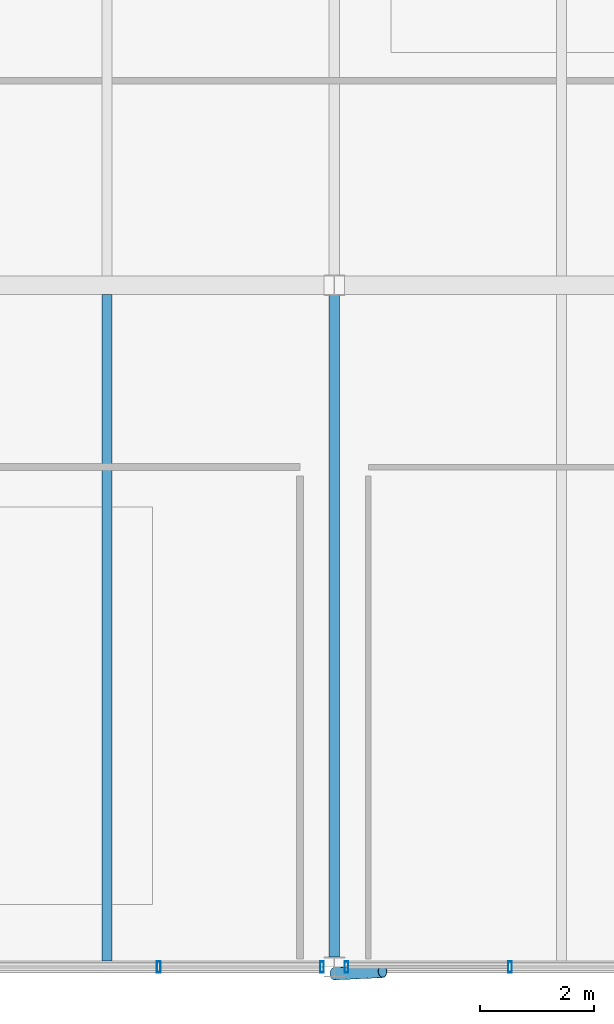
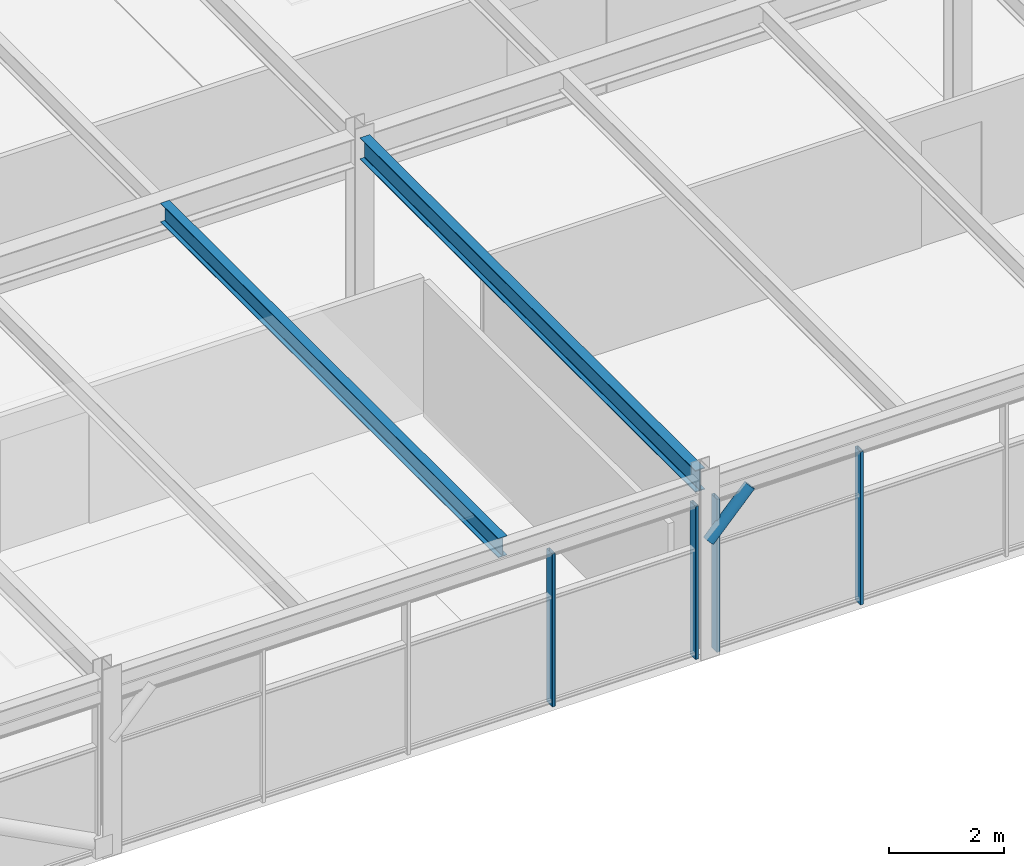
# One storey, part 11 of 23: 5 members, 2 beams, 2 elements without a shape of their own.
"""IFC4 building model written with IfcOpenShell, lengths in metres."""

import ifcopenshell
import ifcopenshell.guid

model = None  # the IFC model being written
_history = None  # IfcOwnerHistory: only IFC2X3 demands one
_inside = {}  # id of a spatial element -> (the spatial element, [elements in it])
_under = {}  # id of a project, library or spatial element -> (it, [spatial elements below it])
_declared = {}  # id of a project -> (the project, [libraries it declares])
_typed = {}  # id of a type object -> (the type object, [elements of that type])
_made_of = {}  # id of a material, layer set ... -> (it, [elements and type objects made of it])


def new_model(schema):
    """Start an empty IFC model of exactly this schema.

    Asked for "IFC4X3", IfcOpenShell would pick the latest addendum, in which some entities
    have other attributes; the version numbers below select the first issue.
    IFC2X3 requires an IfcOwnerHistory on every rooted entity: one is made here for all.
    """
    global model, _history
    if schema == "IFC4X3":
        model = ifcopenshell.file(schema_version=(4, 3, 0, 0))
    else:
        model = ifcopenshell.file(schema=schema)
    _inside.clear()
    _under.clear()
    _declared.clear()
    _typed.clear()
    _made_of.clear()
    _history = None
    if model.schema == "IFC2X3":
        org = make("IfcOrganization", Name="unknown")
        user = make(
            "IfcPersonAndOrganization",
            ThePerson=make("IfcPerson", FamilyName="unknown"),
            TheOrganization=org,
        )
        app = make(
            "IfcApplication",
            ApplicationDeveloper=org,
            Version="unknown",
            ApplicationFullName="unknown",
            ApplicationIdentifier="unknown",
        )
        _history = make(
            "IfcOwnerHistory",
            OwningUser=user,
            OwningApplication=app,
            ChangeAction="ADDED",
            CreationDate=0,
        )
    return model


def make(cls, **values):
    """One entity of the class cls with the attributes given. An attribute that is None is left unset."""
    return model.create_entity(
        cls, **{name: value for name, value in values.items() if value is not None}
    )


def rooted(cls, **values):
    """An entity with a GlobalId (a new one), such as an element, a storey or a relation."""
    return make(cls, GlobalId=ifcopenshell.guid.new(), OwnerHistory=_history, **values)


def si_unit(unit_type, name, prefix=None):
    """IfcSIUnit, for example si_unit("LENGTHUNIT", "METRE", prefix="MILLI")."""
    return make("IfcSIUnit", UnitType=unit_type, Prefix=prefix, Name=name)


def assignment(units):
    """IfcUnitAssignment: the units of a project."""
    return None if units is None else make("IfcUnitAssignment", Units=units)


def point(xyz):
    """IfcCartesianPoint."""
    return None if xyz is None else make("IfcCartesianPoint", Coordinates=xyz)


def direction(xyz):
    """IfcDirection."""
    return None if xyz is None else make("IfcDirection", DirectionRatios=xyz)


def frame(location, z_axis=None, x_axis=None):
    """IfcAxis2Placement3D, a coordinate frame: its origin and axes. An axis left out is left unset."""
    return make(
        "IfcAxis2Placement3D",
        Location=point(location),
        Axis=direction(z_axis),
        RefDirection=direction(x_axis),
    )


def frame_2d(location, x_axis=None):
    """IfcAxis2Placement2D, a coordinate frame in the plane: its origin and x axis."""
    return make(
        "IfcAxis2Placement2D", Location=point(location), RefDirection=direction(x_axis)
    )


def origin():
    """The frame at (0, 0, 0) with its axes left unset."""
    return frame((0.0, 0.0, 0.0))


def origin_2d():
    """The frame at (0, 0) in the plane with its x axis left unset."""
    return frame_2d((0.0, 0.0))


def place(relative_to, where):
    """IfcLocalPlacement: puts the frame where relative to a parent placement (None: the world)."""
    return make(
        "IfcLocalPlacement", PlacementRelTo=relative_to, RelativePlacement=where
    )


def context(
    kind, dimensions, precision=None, world=None, true_north=None, identifier=None
):
    """IfcGeometricRepresentationContext, for example the 3D "Model" context."""
    return make(
        "IfcGeometricRepresentationContext",
        ContextIdentifier=identifier,
        ContextType=kind,
        CoordinateSpaceDimension=dimensions,
        Precision=precision,
        WorldCoordinateSystem=world,
        TrueNorth=true_north,
    )


def subcontext(parent, identifier, kind, view, scale=None):
    """IfcGeometricRepresentationSubContext, for example "Body" below "Model"."""
    return make(
        "IfcGeometricRepresentationSubContext",
        ContextIdentifier=identifier,
        ContextType=kind,
        ParentContext=parent,
        TargetScale=scale,
        TargetView=view,
    )


def project(units=None, contexts=None):
    """IfcProject with its units and contexts."""
    return rooted(
        "IfcProject",
        Name="project",
        RepresentationContexts=contexts,
        UnitsInContext=assignment(units),
    )


def spatial(cls, under=None, at=None, **own):
    """A site, building, storey or space (cls), placed at a placement, below another one or the project."""
    s = rooted(cls, ObjectPlacement=at, **own)
    if under is not None:
        _under.setdefault(under.id(), (under, []))[1].append(s)
    return s


def profile(cls, at=None, kind="AREA", **sizes):
    """A parametric profile (cls). Its sizes go by their IFC names, for example OverallWidth=200.0."""
    return make(cls, ProfileType=kind, Position=at, **sizes)


def hollow_rectangle(**sizes):
    """IfcRectangleHollowProfileDef."""
    return profile("IfcRectangleHollowProfileDef", **sizes)


def hollow_circle(**sizes):
    """IfcCircleHollowProfileDef."""
    return profile("IfcCircleHollowProfileDef", **sizes)


def i_section(**sizes):
    """IfcIShapeProfileDef."""
    return profile("IfcIShapeProfileDef", **sizes)


def extrude(swept, where, along, depth):
    """IfcExtrudedAreaSolid: the profile swept, set in the frame where, extruded along a direction by depth."""
    return make(
        "IfcExtrudedAreaSolid",
        SweptArea=swept,
        Position=where,
        ExtrudedDirection=direction(along),
        Depth=depth,
    )


def shape(context_of_items, identifier, shape_type, items):
    """IfcShapeRepresentation: the items that make up one representation, for example the "Body"."""
    return make(
        "IfcShapeRepresentation",
        ContextOfItems=context_of_items,
        RepresentationIdentifier=identifier,
        RepresentationType=shape_type,
        Items=items,
    )


def material(Name=None, Category=None):
    """IfcMaterial."""
    return make("IfcMaterial", Name=Name, Category=Category)


def material_profile(
    of_material, cross_section, Name=None, Category=None, Priority=None
):
    """IfcMaterialProfile: a cross section and its material."""
    return make(
        "IfcMaterialProfile",
        Name=Name,
        Material=of_material,
        Profile=cross_section,
        Priority=Priority,
        Category=Category,
    )


def profile_set(profiles, Name=None, composite=None):
    """IfcMaterialProfileSet."""
    return make(
        "IfcMaterialProfileSet",
        Name=Name,
        MaterialProfiles=profiles,
        CompositeProfile=composite,
    )


def made_of(thing, what):
    """Note that an element or type object is made of a material, layer set ...; save() writes the relation."""
    if what is not None:
        _made_of.setdefault(what.id(), (what, []))[1].append(thing)
    return thing


def type_object(cls, material=None, **own):
    """A type object (cls), such as IfcWallType, which elements share."""
    return made_of(rooted(cls, **own), material)


def element(
    cls,
    number,
    at=None,
    inside=None,
    cuts=None,
    type_object=None,
    material=None,
    context=None,
    identifier="Body",
    shape_type=None,
    held_by="IfcProductDefinitionShape",
    body=None,
    shapes=None,
    **own,
):
    """One element of the class cls, such as IfcWall. Its Tag is "e" and its number.

    at: its placement. inside: the storey or other place that contains it. cuts: it is an
    opening in that element (IfcRelVoidsElement). A single representation is given by context,
    identifier, shape_type and body (its items); several are given by shapes. held_by: the class
    of the entity that holds the representations. save() writes the other relations.
    """
    e = rooted(cls, Tag="e%d" % number, ObjectPlacement=at, **own)
    if body is not None:
        shapes = [shape(context, identifier, shape_type, body)]
    if shapes is not None:
        e.Representation = make(held_by, Representations=shapes)
    if inside is not None:
        _inside.setdefault(inside.id(), (inside, []))[1].append(e)
    if cuts is not None:
        rooted(
            "IfcRelVoidsElement", RelatingBuildingElement=cuts, RelatedOpeningElement=e
        )
    if type_object is not None:
        _typed.setdefault(type_object.id(), (type_object, []))[1].append(e)
    return made_of(e, material)


def aggregate(whole, parts):
    """IfcRelAggregates: a whole, such as a stair, and the parts it consists of."""
    return rooted("IfcRelAggregates", RelatingObject=whole, RelatedObjects=parts)


def save(model, path):
    """Write the relations noted so far, then the file.

    IfcRelAggregates (storeys below a building ...), IfcRelContainedInSpatialStructure (elements
    in a storey), IfcRelDefinesByType, IfcRelAssociatesMaterial and IfcRelDeclares: one each for
    every whole, place, type object, material and project.
    """
    for whole, parts in _under.values():
        aggregate(whole, parts)
    for where, things in _inside.values():
        rooted(
            "IfcRelContainedInSpatialStructure",
            RelatedElements=things,
            RelatingStructure=where,
        )
    for kind, things in _typed.values():
        rooted("IfcRelDefinesByType", RelatedObjects=things, RelatingType=kind)
    for what, things in _made_of.values():
        rooted("IfcRelAssociatesMaterial", RelatedObjects=things, RelatingMaterial=what)
    for by, libraries in _declared.values():
        rooted("IfcRelDeclares", RelatingContext=by, RelatedDefinitions=libraries)
    model.write(path)


model = new_model("IFC4")

# Units and contexts
model_context = context("Model", 3, precision=1e-05, world=origin(), true_north=direction((0.0, 1.0)))
body_context = subcontext(model_context, "Body", "Model", "MODEL_VIEW")
ifc_project = project(units=[si_unit("LENGTHUNIT", "METRE"), si_unit("AREAUNIT", "SQUARE_METRE"), si_unit("VOLUMEUNIT", "CUBIC_METRE"), si_unit("PLANEANGLEUNIT", "RADIAN"), si_unit("MASSUNIT", "GRAM", prefix="KILO")], contexts=[model_context])

# Site, building, storey
site_placement = place(None, origin())
site = spatial("IfcSite", under=ifc_project, at=site_placement, CompositionType="ELEMENT")
building_placement = place(site_placement, origin())
building = spatial("IfcBuilding", under=site, at=building_placement, Name="Girod Span Mobility Hub", CompositionType="ELEMENT")
storey_placement = place(building_placement, frame((0.0, 0.0, 65.60009765625)))
storey = spatial("IfcBuildingStorey", under=building, at=storey_placement, Name="L16", CompositionType="ELEMENT", Elevation=65.60009765625)

# Beams
ifc_material_1 = material(Name="Steel A992 Grade 50", Category="steel")
ifc_material_profile_1 = material_profile(ifc_material_1, i_section(OverallWidth=0.178955078125, OverallDepth=0.409912109375, WebThickness=0.0087890625, FlangeThickness=0.014404296875, FilletRadius=0.012939453125, at=origin_2d()), Name="W16X45")
ifc_profile_set_1 = profile_set([ifc_material_profile_1], Name="Steel A992 Grade 50")
beam_type_1 = type_object("IfcBeamType", Name="BM-STL-W16X45", PredefinedType="BEAM", material=ifc_profile_set_1)
beam_1_placement = place(storey_placement, frame((80.0, 45.10302734375, 3.5849609375), z_axis=(0.0, 1.0, 0.0), x_axis=(-1.0, 0.0, 0.0)))
element("IfcBeam", 1, at=beam_1_placement, inside=storey, type_object=beam_type_1, Name="Composite Floorbeam 7/D-2 L16", PredefinedType="BEAM", context=body_context, shape_type="SweptSolid", body=[
    extrude(i_section(OverallWidth=0.178955078125, OverallDepth=0.409912109375, WebThickness=0.0087890625, FlangeThickness=0.014404296875, FilletRadius=0.012939453125, at=origin_2d()), origin(), (0.0, 0.0, 1.0), 11.738037109375),
])
ifc_material_2 = material(Name="Steel A992 Grade 50", Category="steel")
ifc_material_profile_2 = material_profile(ifc_material_2, i_section(OverallWidth=0.19189453125, OverallDepth=0.462890625, WebThickness=0.010498046875, FlangeThickness=0.017578125, FilletRadius=0.013916015625, at=origin_2d()), Name="W18X60")
ifc_profile_set_2 = profile_set([ifc_material_profile_2], Name="Steel A992 Grade 50")
beam_type_2 = type_object("IfcBeamType", Name="BM-STL-W18X60", PredefinedType="BEAM", material=ifc_profile_set_2)
beam_2_placement = place(storey_placement, frame((84.0, 45.175048828125, 3.558349609375), z_axis=(0.0, 1.0, 0.0), x_axis=(-1.0, 0.0, 0.0)))
element("IfcBeam", 2, at=beam_2_placement, inside=storey, type_object=beam_type_2, Name="Tie Girder 8/D-E L16", PredefinedType="BEAM", context=body_context, shape_type="SweptSolid", body=[
    extrude(i_section(OverallWidth=0.19189453125, OverallDepth=0.462890625, WebThickness=0.010498046875, FlangeThickness=0.017578125, FilletRadius=0.013916015625, at=origin_2d()), origin(), (0.0, 0.0, 1.0), 11.64990234375),
])

# Curtain wall, members
ifc_material_3 = material(Name="Thermally Broken Anodised Aluminium", Category="aluminium")
curtain_wall_type = type_object("IfcCurtainWallType", Name="CW-1164X325", PredefinedType="USERDEFINED", material=ifc_material_3)
curtain_wall_1_placement = place(storey_placement, origin())
curtain_wall_1 = element("IfcCurtainWall", 3, at=curtain_wall_1_placement, inside=storey, type_object=curtain_wall_type, Name="Unitised Curtain Wall CW-L16-S07 L16", ObjectType="UNITISED CURTAIN WALL", PredefinedType="USERDEFINED")
ifc_material_4 = material(Name="Thermally Broken Anodised Aluminium", Category="aluminium")
ifc_material_profile_3 = material_profile(ifc_material_4, hollow_rectangle(XDim=0.199951171875, YDim=0.06494140625, WallThickness=0.00390625, InnerFilletRadius=0.00390625, OuterFilletRadius=0.008056640625, at=origin_2d()), Name="CW-ML-65X200")
ifc_profile_set_3 = profile_set([ifc_material_profile_3], Name="Thermally Broken Anodised Aluminium")
member_type_1 = type_object("IfcMemberType", Name="CWM-ML-1", PredefinedType="MULLION", material=ifc_profile_set_3)
member_1_placement = place(storey_placement, frame((80.90869140625, 45.0, 0.0), z_axis=(0.0, 0.0, 1.0), x_axis=(0.0, 1.0, 0.0)))
member_1 = element("IfcMember", 4, at=member_1_placement, type_object=member_type_1, Name="Curtain Wall Mullion CW-L16-S07-M3", PredefinedType="MULLION", context=body_context, shape_type="SweptSolid", body=[
    extrude(hollow_rectangle(XDim=0.199951171875, YDim=0.06494140625, WallThickness=0.00390625, InnerFilletRadius=0.00390625, OuterFilletRadius=0.008056640625, at=origin_2d()), origin(), (0.0, 0.0, 1.0), 3.245849609375),
])
member_2_placement = place(storey_placement, frame((83.785400390625, 45.0, 0.0), z_axis=(0.0, 0.0, 1.0), x_axis=(0.0, 1.0, 0.0)))
member_2 = element("IfcMember", 5, at=member_2_placement, type_object=member_type_1, Name="Curtain Wall Mullion CW-L16-S07-M4", PredefinedType="MULLION", context=body_context, shape_type="SweptSolid", body=[
    extrude(hollow_rectangle(XDim=0.199951171875, YDim=0.06494140625, WallThickness=0.00390625, InnerFilletRadius=0.00390625, OuterFilletRadius=0.008056640625, at=origin_2d()), origin(), (0.0, 0.0, 1.0), 3.245849609375),
])
aggregate(curtain_wall_1, [member_1, member_2])

curtain_wall_2_placement = place(storey_placement, origin())
curtain_wall_2 = element("IfcCurtainWall", 6, at=curtain_wall_2_placement, inside=storey, type_object=curtain_wall_type, Name="Unitised Curtain Wall CW-L16-S08 L16", ObjectType="UNITISED CURTAIN WALL", PredefinedType="USERDEFINED")
member_3_placement = place(storey_placement, frame((84.214599609375, 45.0, 0.0), z_axis=(0.0, 0.0, 1.0), x_axis=(0.0, 1.0, 0.0)))
member_3 = element("IfcMember", 7, at=member_3_placement, type_object=member_type_1, Name="Curtain Wall Mullion CW-L16-S08-M0", PredefinedType="MULLION", context=body_context, shape_type="SweptSolid", body=[
    extrude(hollow_rectangle(XDim=0.199951171875, YDim=0.06494140625, WallThickness=0.00390625, InnerFilletRadius=0.00390625, OuterFilletRadius=0.008056640625, at=origin_2d()), origin(), (0.0, 0.0, 1.0), 3.245849609375),
])
member_4_placement = place(storey_placement, frame((87.09130859375, 45.0, 0.0), z_axis=(0.0, 0.0, 1.0), x_axis=(0.0, 1.0, 0.0)))
member_4 = element("IfcMember", 8, at=member_4_placement, type_object=member_type_1, Name="Curtain Wall Mullion CW-L16-S08-M1", PredefinedType="MULLION", context=body_context, shape_type="SweptSolid", body=[
    extrude(hollow_rectangle(XDim=0.199951171875, YDim=0.06494140625, WallThickness=0.00390625, InnerFilletRadius=0.00390625, OuterFilletRadius=0.008056640625, at=origin_2d()), origin(), (0.0, 0.0, 1.0), 3.245849609375),
])
aggregate(curtain_wall_2, [member_3, member_4])

# Member
ifc_material_5 = material(Name="Steel HSS A500 Grade C", Category="steel")
ifc_material_profile_4 = material_profile(ifc_material_5, hollow_circle(Radius=0.109619140625, WallThickness=0.0087890625, at=origin_2d()), Name="HSS219X9.5")
ifc_profile_set_4 = profile_set([ifc_material_profile_4], Name="Steel HSS A500 Grade C")
member_type_2 = type_object("IfcMemberType", Name="MB-ST-HSS219", PredefinedType="STRUT", material=ifc_profile_set_4)
member_5_placement = place(storey_placement, frame((84.0, 44.8798828125, 2.449951171875), z_axis=(0.702671876699, 0.03309540143, 0.710743925828), x_axis=(-0.047047213483, 0.998892666758, 0.0)))
element("IfcMember", 9, at=member_5_placement, inside=storey, type_object=member_type_2, Name="Solar Shading Knee Strut 8 L16", PredefinedType="STRUT", context=body_context, shape_type="SweptSolid", body=[
    extrude(hollow_circle(Radius=0.109619140625, WallThickness=0.0087890625, at=origin_2d()), origin(), (0.0, 0.0, 1.0), 1.209716796875),
])

save(model, "model.ifc")
